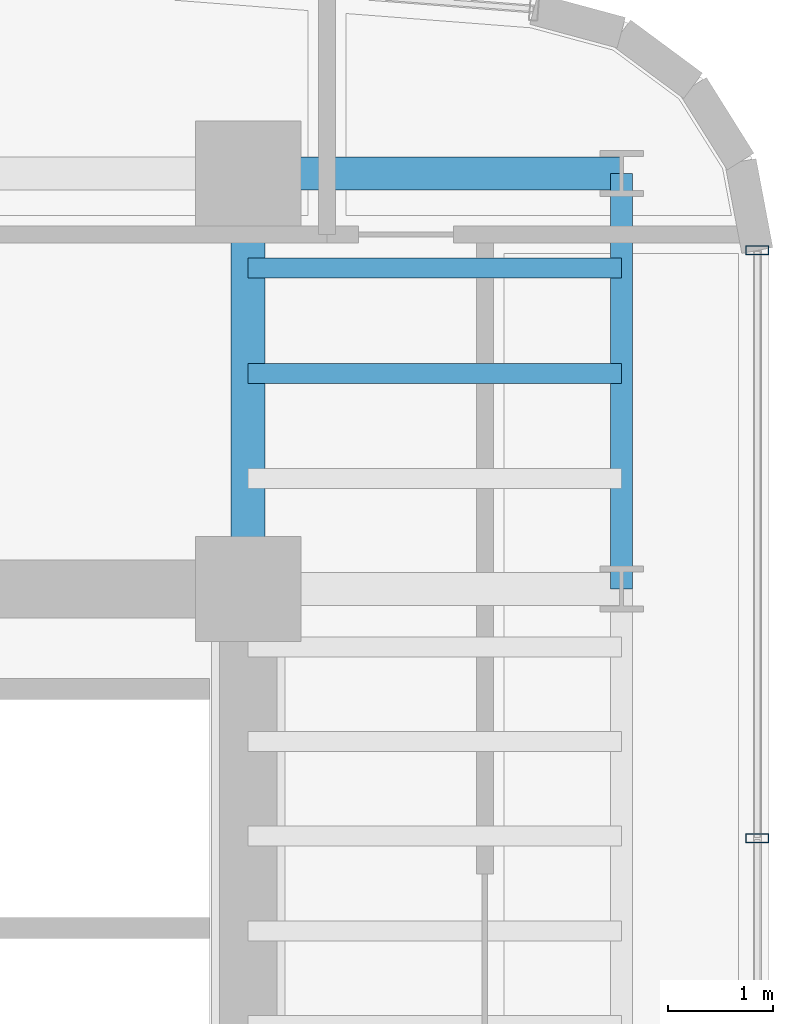
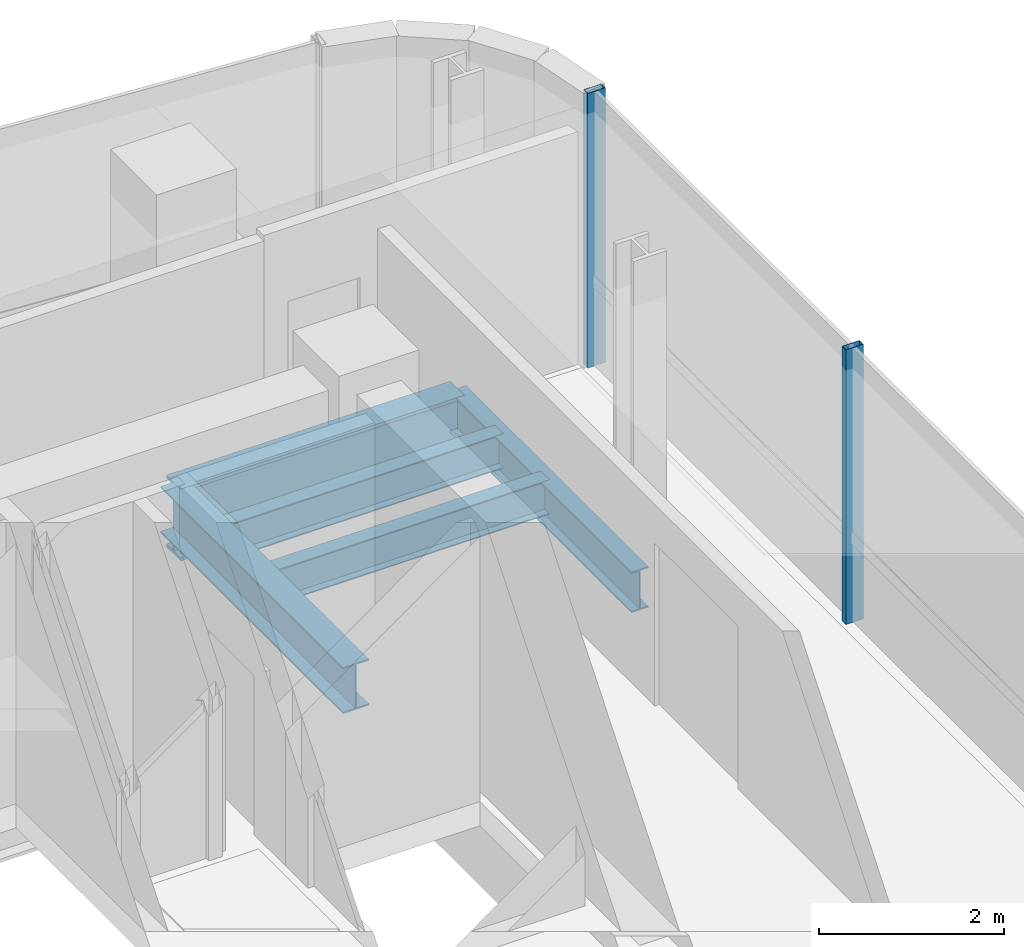
# One storey, part 16 of 38: 5 beams, 2 members, 1 element without a shape of its own.
"""IFC4 building model written with IfcOpenShell, lengths in metres."""

from ifc_helpers import new_model, si_unit, direction, frame, origin, origin_2d, place, context, subcontext, project, spatial, hollow_rectangle, i_section, extrude, source, transform, mapped, material, material_profile, profile_set, type_object, element, aggregate, save


model = new_model("IFC4")

# Units and contexts
model_context = context("Model", 3, precision=1e-05, world=origin(), true_north=direction((0.0, 1.0)))
body_context = subcontext(model_context, "Body", "Model", "MODEL_VIEW")
ifc_project = project(units=[si_unit("LENGTHUNIT", "METRE"), si_unit("AREAUNIT", "SQUARE_METRE"), si_unit("VOLUMEUNIT", "CUBIC_METRE"), si_unit("PLANEANGLEUNIT", "RADIAN"), si_unit("MASSUNIT", "GRAM", prefix="KILO")], contexts=[model_context])

# Site, building, storey
site_placement = place(None, origin())
site = spatial("IfcSite", under=ifc_project, at=site_placement, CompositionType="ELEMENT")
building_placement = place(site_placement, origin())
building = spatial("IfcBuilding", under=site, at=building_placement, Name="Valdorenza Pilgrim Sanctuary Tower", CompositionType="ELEMENT")
storey_placement = place(building_placement, frame((0.0, 0.0, 180.5)))
storey = spatial("IfcBuildingStorey", under=building, at=storey_placement, Name="L46", CompositionType="ELEMENT", Elevation=180.5)

# Beams
ifc_material_1 = material(Name="Steel ASTM A992 Grade 50", Category="steel")
ifc_material_profile_1 = material_profile(ifc_material_1, i_section(OverallWidth=0.323974609375, OverallDepth=0.611083984375, WebThickness=0.0126953125, FlangeThickness=0.01904296875, at=origin_2d()), Name="W24X104")
ifc_profile_set_1 = profile_set([ifc_material_profile_1], Name="Steel ASTM A992 Grade 50")
beam_type_1 = type_object("IfcBeamType", Name="STR-BM-GRD-W24B", PredefinedType="BEAM", material=ifc_profile_set_1)
shared_shape_1 = source(origin(), body_context, "Body", "SweptSolid", [
    extrude(i_section(OverallWidth=0.323974609375, OverallDepth=0.611083984375, WebThickness=0.0126953125, FlangeThickness=0.01904296875, at=origin_2d()), origin(), (0.0, 0.0, 1.0), 3.949951171875),
])
beam_1_placement = place(storey_placement, frame((24.85009765625, 9.550048828125, -0.62548828125), z_axis=(0.0, 1.0, 0.0), x_axis=(-1.0, 0.0, 0.0)))
element("IfcBeam", 1, at=beam_1_placement, inside=storey, type_object=beam_type_1, Name="L46 Core Tie Girder CB-E-N1N2", PredefinedType="BEAM", context=body_context, shape_type="MappedRepresentation", body=[
    mapped(shared_shape_1, transform((0.0, 0.0, 0.0), x_axis=(1.0, 0.0, 0.0), y_axis=(0.0, 1.0, 0.0), z_axis=(0.0, 0.0, 1.0), scale=1.0)),
])
ifc_material_profile_2 = material_profile(ifc_material_1, i_section(OverallWidth=0.19091796875, OverallDepth=0.45703125, WebThickness=0.009033203125, FlangeThickness=0.014404296875, at=origin_2d()), Name="W18X50")
ifc_profile_set_2 = profile_set([ifc_material_profile_2], Name="Steel ASTM A992 Grade 50")
beam_type_2 = type_object("IfcBeamType", Name="STR-BM-JST-W18B", PredefinedType="JOIST", material=ifc_profile_set_2)
shared_shape_2 = source(origin(), body_context, "Body", "SweptSolid", [
    extrude(i_section(OverallWidth=0.19091796875, OverallDepth=0.45703125, WebThickness=0.009033203125, FlangeThickness=0.014404296875, at=origin_2d()), origin(), (0.0, 0.0, 1.0), 3.5498046875),
])
for number, where, z_axis, x_axis, name in (
    (2, (24.85009765625, 11.60009765625, -0.548583984375), (1.0, 0.0, 0.0), (0.0, 1.0, 0.0), "L46 Composite Floor Joist JST-WB-20"),
    (3, (24.85009765625, 12.60009765625, -0.548583984375), (1.0, 0.0, 0.0), (0.0, 1.0, 0.0), "L46 Composite Floor Joist JST-WB-21"),
):
    element("IfcBeam", number, at=place(storey_placement, frame(where, z_axis=z_axis, x_axis=x_axis)), inside=storey, type_object=beam_type_2, Name=name, PredefinedType="JOIST", context=body_context, shape_type="MappedRepresentation", body=[
        mapped(shared_shape_2, transform((0.0, 0.0, 0.0), x_axis=(1.0, 0.0, 0.0), y_axis=(0.0, 1.0, 0.0), z_axis=(0.0, 0.0, 1.0), scale=1.0)),
    ])
ifc_material_profile_3 = material_profile(ifc_material_1, i_section(OverallWidth=0.2109375, OverallDepth=0.5390625, WebThickness=0.01171875, FlangeThickness=0.018798828125, at=origin_2d()), Name="W21X73")
ifc_profile_set_3 = profile_set([ifc_material_profile_3], Name="Steel ASTM A992 Grade 50")
beam_type_3 = type_object("IfcBeamType", Name="STR-BM-SPN-W21B", PredefinedType="SPANDREL", material=ifc_profile_set_3)
shared_shape_3 = source(origin(), body_context, "Body", "SweptSolid", [
    extrude(i_section(OverallWidth=0.2109375, OverallDepth=0.5390625, WebThickness=0.01171875, FlangeThickness=0.018798828125, at=origin_2d()), origin(), (0.0, 0.0, 1.0), 3.949951171875),
])
beam_2_placement = place(storey_placement, frame((28.39990234375, 9.550048828125, -0.589599609375), z_axis=(0.0, 1.0, 0.0), x_axis=(-1.0, 0.0, 0.0)))
element("IfcBeam", 4, at=beam_2_placement, inside=storey, type_object=beam_type_3, Name="L46 Spandrel Beam WB-E-N1N2", PredefinedType="SPANDREL", context=body_context, shape_type="MappedRepresentation", body=[
    mapped(shared_shape_3, transform((0.0, 0.0, 0.0), x_axis=(1.0, 0.0, 0.0), y_axis=(0.0, 1.0, 0.0), z_axis=(0.0, 0.0, 1.0), scale=1.0)),
])
ifc_material_profile_4 = material_profile(ifc_material_1, i_section(OverallWidth=0.31005859375, OverallDepth=0.949951171875, WebThickness=0.0244140625, FlangeThickness=0.0439453125, at=origin_2d()), Name="W36X256")
ifc_profile_set_4 = profile_set([ifc_material_profile_4], Name="Steel ASTM A992 Grade 50")
beam_type_4 = type_object("IfcBeamType", Name="STR-BM-GRD-W36B", PredefinedType="BEAM", material=ifc_profile_set_4)
shared_shape_4 = source(origin(), body_context, "Body", "SweptSolid", [
    extrude(i_section(OverallWidth=0.31005859375, OverallDepth=0.949951171875, WebThickness=0.0244140625, FlangeThickness=0.0439453125, at=origin_2d()), origin(), (0.0, 0.0, 1.0), 3.5498046875),
])
beam_3_placement = place(storey_placement, frame((24.85009765625, 13.5, -0.794921875), z_axis=(1.0, 0.0, 0.0), x_axis=(0.0, 1.0, 0.0)))
element("IfcBeam", 5, at=beam_3_placement, inside=storey, type_object=beam_type_4, Name="L46 Floor Girder WB-XE-N2", PredefinedType="BEAM", context=body_context, shape_type="MappedRepresentation", body=[
    mapped(shared_shape_4, transform((0.0, 0.0, 0.0), x_axis=(1.0, 0.0, 0.0), y_axis=(0.0, 1.0, 0.0), z_axis=(0.0, 0.0, 1.0), scale=1.0)),
])

# Curtain wall, members
ifc_material_2 = material(Name="Curtain-wall IGU glazing", Category="glass")
curtain_wall_type = type_object("IfcCurtainWallType", Name="CW-SYS-03", PredefinedType="NOTDEFINED", material=ifc_material_2)
curtain_wall_placement = place(storey_placement, origin())
curtain_wall = element("IfcCurtainWall", 6, at=curtain_wall_placement, inside=storey, type_object=curtain_wall_type, Name="L46 Curtain Wall CW-L46-1-37", PredefinedType="NOTDEFINED")
ifc_material_3 = material(Name="Anodised aluminium AW-6060", Category="aluminium")
ifc_material_profile_5 = material_profile(ifc_material_3, hollow_rectangle(XDim=0.0849609375, YDim=0.219970703125, WallThickness=0.0048828125, at=origin_2d()), Name="ALU-M 220x85x5")
ifc_profile_set_5 = profile_set([ifc_material_profile_5], Name="Anodised aluminium AW-6060")
member_type = type_object("IfcMemberType", Name="CW-MUL-03", PredefinedType="MULLION", material=ifc_profile_set_5)
shared_shape_5 = source(origin(), body_context, "Body", "SweptSolid", [
    extrude(hollow_rectangle(XDim=0.0849609375, YDim=0.219970703125, WallThickness=0.0048828125, at=origin_2d()), origin(), (0.0, 0.0, 1.0), 3.6298828125),
])
member_1_placement = place(storey_placement, frame((29.68994140625, 12.768310546875, 0.0), z_axis=(0.0, 0.0, 1.0), x_axis=(0.0, -1.0, 0.0)))
member_1 = element("IfcMember", 7, at=member_1_placement, type_object=member_type, Name="CW-L46-1-37 Mullion 1", PredefinedType="MULLION", context=body_context, shape_type="MappedRepresentation", body=[
    mapped(shared_shape_5, transform((0.0, 0.0, 0.0), x_axis=(1.0, 0.0, 0.0), y_axis=(0.0, 1.0, 0.0), z_axis=(0.0, 0.0, 1.0), scale=1.0)),
])
member_2_placement = place(storey_placement, frame((29.68994140625, 7.178955078125, 0.0), z_axis=(0.0, 0.0, 1.0), x_axis=(0.0, -1.0, 0.0)))
member_2 = element("IfcMember", 8, at=member_2_placement, type_object=member_type, Name="CW-L46-1-37 Mullion 2", PredefinedType="MULLION", context=body_context, shape_type="MappedRepresentation", body=[
    mapped(shared_shape_5, transform((0.0, 0.0, 0.0), x_axis=(1.0, 0.0, 0.0), y_axis=(0.0, 1.0, 0.0), z_axis=(0.0, 0.0, 1.0), scale=1.0)),
])
aggregate(curtain_wall, [member_1, member_2])

save(model, "model.ifc")
